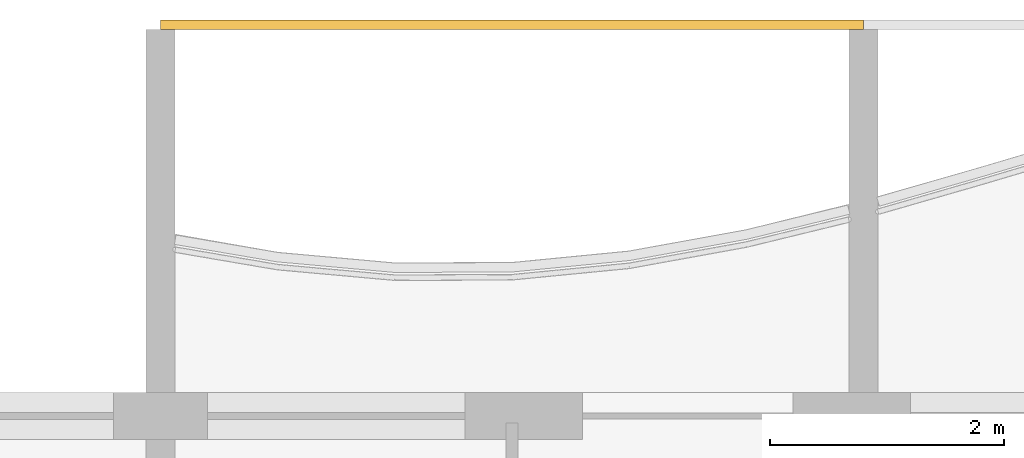
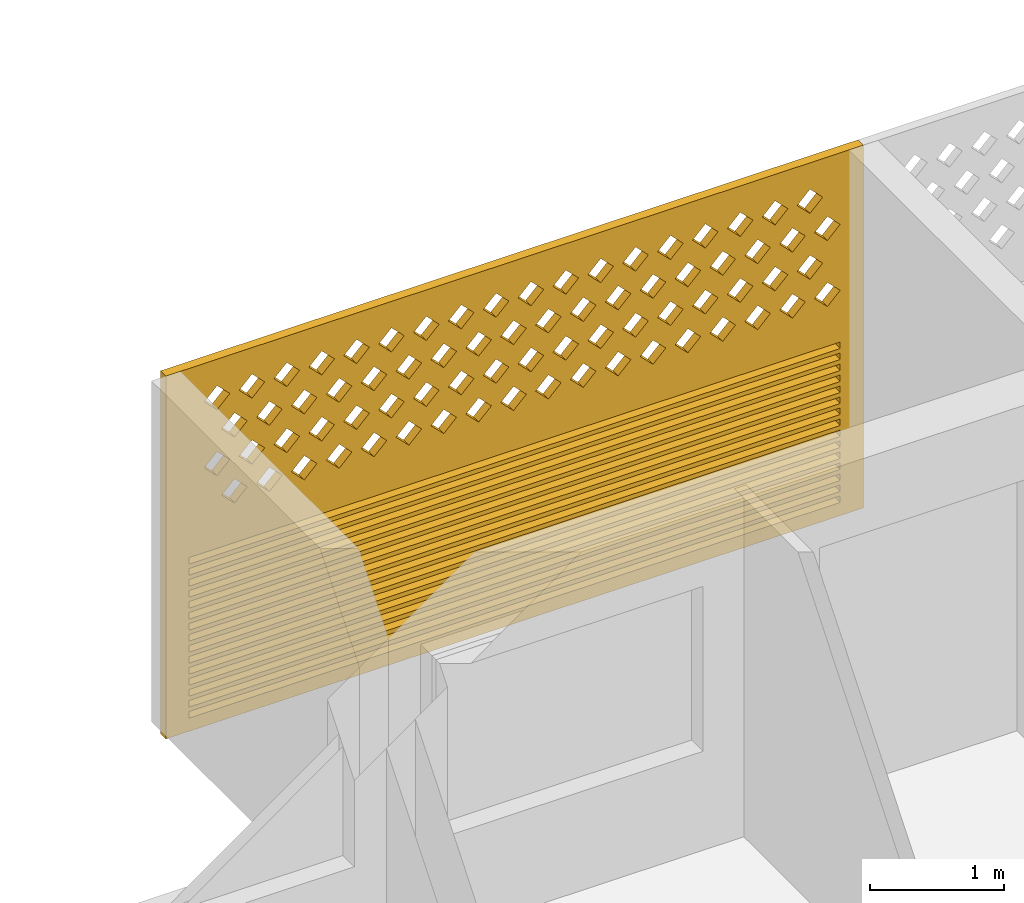
# One storey, part 19 of 29: 1 covering.
"""IFC4 building model written with IfcOpenShell, lengths in metres."""

import ifcopenshell
import ifcopenshell.guid

model = None  # the IFC model being written
_history = None  # IfcOwnerHistory: only IFC2X3 demands one
_inside = {}  # id of a spatial element -> (the spatial element, [elements in it])
_under = {}  # id of a project, library or spatial element -> (it, [spatial elements below it])
_declared = {}  # id of a project -> (the project, [libraries it declares])
_typed = {}  # id of a type object -> (the type object, [elements of that type])
_made_of = {}  # id of a material, layer set ... -> (it, [elements and type objects made of it])


def new_model(schema):
    """Start an empty IFC model of exactly this schema.

    Asked for "IFC4X3", IfcOpenShell would pick the latest addendum, in which some entities
    have other attributes; the version numbers below select the first issue.
    IFC2X3 requires an IfcOwnerHistory on every rooted entity: one is made here for all.
    """
    global model, _history
    if schema == "IFC4X3":
        model = ifcopenshell.file(schema_version=(4, 3, 0, 0))
    else:
        model = ifcopenshell.file(schema=schema)
    _inside.clear()
    _under.clear()
    _declared.clear()
    _typed.clear()
    _made_of.clear()
    _history = None
    if model.schema == "IFC2X3":
        org = make("IfcOrganization", Name="unknown")
        user = make(
            "IfcPersonAndOrganization",
            ThePerson=make("IfcPerson", FamilyName="unknown"),
            TheOrganization=org,
        )
        app = make(
            "IfcApplication",
            ApplicationDeveloper=org,
            Version="unknown",
            ApplicationFullName="unknown",
            ApplicationIdentifier="unknown",
        )
        _history = make(
            "IfcOwnerHistory",
            OwningUser=user,
            OwningApplication=app,
            ChangeAction="ADDED",
            CreationDate=0,
        )
    return model


def make(cls, **values):
    """One entity of the class cls with the attributes given. An attribute that is None is left unset."""
    return model.create_entity(
        cls, **{name: value for name, value in values.items() if value is not None}
    )


def rooted(cls, **values):
    """An entity with a GlobalId (a new one), such as an element, a storey or a relation."""
    return make(cls, GlobalId=ifcopenshell.guid.new(), OwnerHistory=_history, **values)


def si_unit(unit_type, name, prefix=None):
    """IfcSIUnit, for example si_unit("LENGTHUNIT", "METRE", prefix="MILLI")."""
    return make("IfcSIUnit", UnitType=unit_type, Prefix=prefix, Name=name)


def assignment(units):
    """IfcUnitAssignment: the units of a project."""
    return None if units is None else make("IfcUnitAssignment", Units=units)


def point(xyz):
    """IfcCartesianPoint."""
    return None if xyz is None else make("IfcCartesianPoint", Coordinates=xyz)


def direction(xyz):
    """IfcDirection."""
    return None if xyz is None else make("IfcDirection", DirectionRatios=xyz)


def frame(location, z_axis=None, x_axis=None):
    """IfcAxis2Placement3D, a coordinate frame: its origin and axes. An axis left out is left unset."""
    return make(
        "IfcAxis2Placement3D",
        Location=point(location),
        Axis=direction(z_axis),
        RefDirection=direction(x_axis),
    )


def origin():
    """The frame at (0, 0, 0) with its axes left unset."""
    return frame((0.0, 0.0, 0.0))


def place(relative_to, where):
    """IfcLocalPlacement: puts the frame where relative to a parent placement (None: the world)."""
    return make(
        "IfcLocalPlacement", PlacementRelTo=relative_to, RelativePlacement=where
    )


def context(
    kind, dimensions, precision=None, world=None, true_north=None, identifier=None
):
    """IfcGeometricRepresentationContext, for example the 3D "Model" context."""
    return make(
        "IfcGeometricRepresentationContext",
        ContextIdentifier=identifier,
        ContextType=kind,
        CoordinateSpaceDimension=dimensions,
        Precision=precision,
        WorldCoordinateSystem=world,
        TrueNorth=true_north,
    )


def subcontext(parent, identifier, kind, view, scale=None):
    """IfcGeometricRepresentationSubContext, for example "Body" below "Model"."""
    return make(
        "IfcGeometricRepresentationSubContext",
        ContextIdentifier=identifier,
        ContextType=kind,
        ParentContext=parent,
        TargetScale=scale,
        TargetView=view,
    )


def project(units=None, contexts=None):
    """IfcProject with its units and contexts."""
    return rooted(
        "IfcProject",
        Name="project",
        RepresentationContexts=contexts,
        UnitsInContext=assignment(units),
    )


def spatial(cls, under=None, at=None, **own):
    """A site, building, storey or space (cls), placed at a placement, below another one or the project."""
    s = rooted(cls, ObjectPlacement=at, **own)
    if under is not None:
        _under.setdefault(under.id(), (under, []))[1].append(s)
    return s


def polyline(points):
    """IfcPolyline through the points."""
    return make("IfcPolyline", Points=[point(p) for p in points])


def outline(outer, holes=None, kind="AREA"):
    """IfcArbitraryClosedProfileDef: a profile drawn as a closed curve; with holes, ...WithVoids."""
    if holes is None:
        return make("IfcArbitraryClosedProfileDef", ProfileType=kind, OuterCurve=outer)
    return make(
        "IfcArbitraryProfileDefWithVoids",
        ProfileType=kind,
        OuterCurve=outer,
        InnerCurves=holes,
    )


def extrude(swept, where, along, depth):
    """IfcExtrudedAreaSolid: the profile swept, set in the frame where, extruded along a direction by depth."""
    return make(
        "IfcExtrudedAreaSolid",
        SweptArea=swept,
        Position=where,
        ExtrudedDirection=direction(along),
        Depth=depth,
    )


def shape(context_of_items, identifier, shape_type, items):
    """IfcShapeRepresentation: the items that make up one representation, for example the "Body"."""
    return make(
        "IfcShapeRepresentation",
        ContextOfItems=context_of_items,
        RepresentationIdentifier=identifier,
        RepresentationType=shape_type,
        Items=items,
    )


def source(mapping_origin, context_of_items, identifier, shape_type, items):
    """IfcRepresentationMap: a shape defined once, which mapped items show again and again."""
    return make(
        "IfcRepresentationMap",
        MappingOrigin=mapping_origin,
        MappedRepresentation=shape(context_of_items, identifier, shape_type, items),
    )


def transform(
    local_origin,
    x_axis=None,
    y_axis=None,
    z_axis=None,
    scale=None,
    scale2=None,
    scale3=None,
    uniform=True,
):
    """IfcCartesianTransformationOperator3D, or its non-uniform kind. x_axis, y_axis, z_axis: its Axis1, 2, 3."""
    if uniform:
        return make(
            "IfcCartesianTransformationOperator3D",
            Axis1=direction(x_axis),
            Axis2=direction(y_axis),
            LocalOrigin=point(local_origin),
            Scale=scale,
            Axis3=direction(z_axis),
        )
    return make(
        "IfcCartesianTransformationOperator3DnonUniform",
        Axis1=direction(x_axis),
        Axis2=direction(y_axis),
        LocalOrigin=point(local_origin),
        Scale=scale,
        Axis3=direction(z_axis),
        Scale2=scale2,
        Scale3=scale3,
    )


def mapped(mapping_source, mapping_target):
    """IfcMappedItem: shows the shape of a source again, moved by a transform."""
    return make(
        "IfcMappedItem", MappingSource=mapping_source, MappingTarget=mapping_target
    )


def material(Name=None, Category=None):
    """IfcMaterial."""
    return make("IfcMaterial", Name=Name, Category=Category)


def material_profile(
    of_material, cross_section, Name=None, Category=None, Priority=None
):
    """IfcMaterialProfile: a cross section and its material."""
    return make(
        "IfcMaterialProfile",
        Name=Name,
        Material=of_material,
        Profile=cross_section,
        Priority=Priority,
        Category=Category,
    )


def profile_set(profiles, Name=None, composite=None):
    """IfcMaterialProfileSet."""
    return make(
        "IfcMaterialProfileSet",
        Name=Name,
        MaterialProfiles=profiles,
        CompositeProfile=composite,
    )


def made_of(thing, what):
    """Note that an element or type object is made of a material, layer set ...; save() writes the relation."""
    if what is not None:
        _made_of.setdefault(what.id(), (what, []))[1].append(thing)
    return thing


def type_object(cls, material=None, **own):
    """A type object (cls), such as IfcWallType, which elements share."""
    return made_of(rooted(cls, **own), material)


def element(
    cls,
    number,
    at=None,
    inside=None,
    cuts=None,
    type_object=None,
    material=None,
    context=None,
    identifier="Body",
    shape_type=None,
    held_by="IfcProductDefinitionShape",
    body=None,
    shapes=None,
    **own,
):
    """One element of the class cls, such as IfcWall. Its Tag is "e" and its number.

    at: its placement. inside: the storey or other place that contains it. cuts: it is an
    opening in that element (IfcRelVoidsElement). A single representation is given by context,
    identifier, shape_type and body (its items); several are given by shapes. held_by: the class
    of the entity that holds the representations. save() writes the other relations.
    """
    e = rooted(cls, Tag="e%d" % number, ObjectPlacement=at, **own)
    if body is not None:
        shapes = [shape(context, identifier, shape_type, body)]
    if shapes is not None:
        e.Representation = make(held_by, Representations=shapes)
    if inside is not None:
        _inside.setdefault(inside.id(), (inside, []))[1].append(e)
    if cuts is not None:
        rooted(
            "IfcRelVoidsElement", RelatingBuildingElement=cuts, RelatedOpeningElement=e
        )
    if type_object is not None:
        _typed.setdefault(type_object.id(), (type_object, []))[1].append(e)
    return made_of(e, material)


def aggregate(whole, parts):
    """IfcRelAggregates: a whole, such as a stair, and the parts it consists of."""
    return rooted("IfcRelAggregates", RelatingObject=whole, RelatedObjects=parts)


def save(model, path):
    """Write the relations noted so far, then the file.

    IfcRelAggregates (storeys below a building ...), IfcRelContainedInSpatialStructure (elements
    in a storey), IfcRelDefinesByType, IfcRelAssociatesMaterial and IfcRelDeclares: one each for
    every whole, place, type object, material and project.
    """
    for whole, parts in _under.values():
        aggregate(whole, parts)
    for where, things in _inside.values():
        rooted(
            "IfcRelContainedInSpatialStructure",
            RelatedElements=things,
            RelatingStructure=where,
        )
    for kind, things in _typed.values():
        rooted("IfcRelDefinesByType", RelatedObjects=things, RelatingType=kind)
    for what, things in _made_of.values():
        rooted("IfcRelAssociatesMaterial", RelatedObjects=things, RelatingMaterial=what)
    for by, libraries in _declared.values():
        rooted("IfcRelDeclares", RelatingContext=by, RelatedDefinitions=libraries)
    model.write(path)


model = new_model("IFC4")

# Units and contexts
model_context = context("Model", 3, precision=1e-05, world=origin(), true_north=direction((0.0, 1.0)))
body_context = subcontext(model_context, "Body", "Model", "MODEL_VIEW")
ifc_project = project(units=[si_unit("LENGTHUNIT", "METRE"), si_unit("AREAUNIT", "SQUARE_METRE"), si_unit("VOLUMEUNIT", "CUBIC_METRE"), si_unit("PLANEANGLEUNIT", "RADIAN"), si_unit("MASSUNIT", "GRAM", prefix="KILO")], contexts=[model_context])

# Site, building, storey
site_placement = place(None, origin())
site = spatial("IfcSite", under=ifc_project, at=site_placement, CompositionType="ELEMENT")
building_placement = place(site_placement, origin())
building = spatial("IfcBuilding", under=site, at=building_placement, Name="Poui Terraces", CompositionType="ELEMENT")
storey_placement = place(building_placement, frame((0.0, 0.0, 234.60009765625)))
storey = spatial("IfcBuildingStorey", under=building, at=storey_placement, Name="L65", CompositionType="ELEMENT", Elevation=234.60009765625)

# Covering
ifc_material = material(Name="Terracotta screen", Category="masonry")
ifc_material_profile = material_profile(ifc_material, outline(polyline([(-3.0, -1.64990234375), (3.0, -1.64990234375), (3.0, 1.64990234375), (-3.0, 1.64990234375), (-3.0, -1.64990234375)]), holes=[polyline([(-2.800048828125, 0.39990234375), (-2.68994140625, 0.2900390625), (-2.580078125, 0.39990234375), (-2.68994140625, 0.510009765625), (-2.800048828125, 0.39990234375)]), polyline([(-2.5, 0.39990234375), (-2.389892578125, 0.2900390625), (-2.280029296875, 0.39990234375), (-2.389892578125, 0.510009765625), (-2.5, 0.39990234375)]), polyline([(-2.199951171875, 0.39990234375), (-2.090087890625, 0.2900390625), (-1.97998046875, 0.39990234375), (-2.090087890625, 0.510009765625), (-2.199951171875, 0.39990234375)]), polyline([(-1.89990234375, 0.39990234375), (-1.7900390625, 0.2900390625), (-1.679931640625, 0.39990234375), (-1.7900390625, 0.510009765625), (-1.89990234375, 0.39990234375)]), polyline([(-1.60009765625, 0.39990234375), (-1.489990234375, 0.2900390625), (-1.3798828125, 0.39990234375), (-1.489990234375, 0.510009765625), (-1.60009765625, 0.39990234375)]), polyline([(-1.300048828125, 0.39990234375), (-1.18994140625, 0.2900390625), (-1.080078125, 0.39990234375), (-1.18994140625, 0.510009765625), (-1.300048828125, 0.39990234375)]), polyline([(-1.0, 0.39990234375), (-0.889892578125, 0.2900390625), (-0.780029296875, 0.39990234375), (-0.889892578125, 0.510009765625), (-1.0, 0.39990234375)]), polyline([(-0.699951171875, 0.39990234375), (-0.590087890625, 0.2900390625), (-0.47998046875, 0.39990234375), (-0.590087890625, 0.510009765625), (-0.699951171875, 0.39990234375)]), polyline([(-0.39990234375, 0.39990234375), (-0.2900390625, 0.2900390625), (-0.179931640625, 0.39990234375), (-0.2900390625, 0.510009765625), (-0.39990234375, 0.39990234375)]), polyline([(-0.10009765625, 0.39990234375), (0.010009765625, 0.2900390625), (0.1201171875, 0.39990234375), (0.010009765625, 0.510009765625), (-0.10009765625, 0.39990234375)]), polyline([(0.199951171875, 0.39990234375), (0.31005859375, 0.2900390625), (0.419921875, 0.39990234375), (0.31005859375, 0.510009765625), (0.199951171875, 0.39990234375)]), polyline([(0.5, 0.39990234375), (0.610107421875, 0.2900390625), (0.719970703125, 0.39990234375), (0.610107421875, 0.510009765625), (0.5, 0.39990234375)]), polyline([(0.800048828125, 0.39990234375), (0.909912109375, 0.2900390625), (1.02001953125, 0.39990234375), (0.909912109375, 0.510009765625), (0.800048828125, 0.39990234375)]), polyline([(1.10009765625, 0.39990234375), (1.2099609375, 0.2900390625), (1.320068359375, 0.39990234375), (1.2099609375, 0.510009765625), (1.10009765625, 0.39990234375)]), polyline([(1.39990234375, 0.39990234375), (1.510009765625, 0.2900390625), (1.6201171875, 0.39990234375), (1.510009765625, 0.510009765625), (1.39990234375, 0.39990234375)]), polyline([(1.699951171875, 0.39990234375), (1.81005859375, 0.2900390625), (1.919921875, 0.39990234375), (1.81005859375, 0.510009765625), (1.699951171875, 0.39990234375)]), polyline([(2.0, 0.39990234375), (2.110107421875, 0.2900390625), (2.219970703125, 0.39990234375), (2.110107421875, 0.510009765625), (2.0, 0.39990234375)]), polyline([(2.300048828125, 0.39990234375), (2.409912109375, 0.2900390625), (2.52001953125, 0.39990234375), (2.409912109375, 0.510009765625), (2.300048828125, 0.39990234375)]), polyline([(-2.64990234375, 0.699951171875), (-2.5400390625, 0.590087890625), (-2.429931640625, 0.699951171875), (-2.5400390625, 0.81005859375), (-2.64990234375, 0.699951171875)]), polyline([(-2.35009765625, 0.699951171875), (-2.239990234375, 0.590087890625), (-2.1298828125, 0.699951171875), (-2.239990234375, 0.81005859375), (-2.35009765625, 0.699951171875)]), polyline([(-2.050048828125, 0.699951171875), (-1.93994140625, 0.590087890625), (-1.830078125, 0.699951171875), (-1.93994140625, 0.81005859375), (-2.050048828125, 0.699951171875)]), polyline([(-1.75, 0.699951171875), (-1.639892578125, 0.590087890625), (-1.530029296875, 0.699951171875), (-1.639892578125, 0.81005859375), (-1.75, 0.699951171875)]), polyline([(-1.449951171875, 0.699951171875), (-1.340087890625, 0.590087890625), (-1.22998046875, 0.699951171875), (-1.340087890625, 0.81005859375), (-1.449951171875, 0.699951171875)]), polyline([(-1.14990234375, 0.699951171875), (-1.0400390625, 0.590087890625), (-0.929931640625, 0.699951171875), (-1.0400390625, 0.81005859375), (-1.14990234375, 0.699951171875)]), polyline([(-0.85009765625, 0.699951171875), (-0.739990234375, 0.590087890625), (-0.6298828125, 0.699951171875), (-0.739990234375, 0.81005859375), (-0.85009765625, 0.699951171875)]), polyline([(-0.550048828125, 0.699951171875), (-0.43994140625, 0.590087890625), (-0.330078125, 0.699951171875), (-0.43994140625, 0.81005859375), (-0.550048828125, 0.699951171875)]), polyline([(-0.25, 0.699951171875), (-0.139892578125, 0.590087890625), (-0.030029296875, 0.699951171875), (-0.139892578125, 0.81005859375), (-0.25, 0.699951171875)]), polyline([(0.050048828125, 0.699951171875), (0.159912109375, 0.590087890625), (0.27001953125, 0.699951171875), (0.159912109375, 0.81005859375), (0.050048828125, 0.699951171875)]), polyline([(0.35009765625, 0.699951171875), (0.4599609375, 0.590087890625), (0.570068359375, 0.699951171875), (0.4599609375, 0.81005859375), (0.35009765625, 0.699951171875)]), polyline([(0.64990234375, 0.699951171875), (0.760009765625, 0.590087890625), (0.8701171875, 0.699951171875), (0.760009765625, 0.81005859375), (0.64990234375, 0.699951171875)]), polyline([(0.949951171875, 0.699951171875), (1.06005859375, 0.590087890625), (1.169921875, 0.699951171875), (1.06005859375, 0.81005859375), (0.949951171875, 0.699951171875)]), polyline([(1.25, 0.699951171875), (1.360107421875, 0.590087890625), (1.469970703125, 0.699951171875), (1.360107421875, 0.81005859375), (1.25, 0.699951171875)]), polyline([(1.550048828125, 0.699951171875), (1.659912109375, 0.590087890625), (1.77001953125, 0.699951171875), (1.659912109375, 0.81005859375), (1.550048828125, 0.699951171875)]), polyline([(1.85009765625, 0.699951171875), (1.9599609375, 0.590087890625), (2.070068359375, 0.699951171875), (1.9599609375, 0.81005859375), (1.85009765625, 0.699951171875)]), polyline([(2.14990234375, 0.699951171875), (2.260009765625, 0.590087890625), (2.3701171875, 0.699951171875), (2.260009765625, 0.81005859375), (2.14990234375, 0.699951171875)]), polyline([(2.449951171875, 0.699951171875), (2.56005859375, 0.590087890625), (2.669921875, 0.699951171875), (2.56005859375, 0.81005859375), (2.449951171875, 0.699951171875)]), polyline([(-2.800048828125, 1.0), (-2.68994140625, 0.889892578125), (-2.580078125, 1.0), (-2.68994140625, 1.110107421875), (-2.800048828125, 1.0)]), polyline([(-2.5, 1.0), (-2.389892578125, 0.889892578125), (-2.280029296875, 1.0), (-2.389892578125, 1.110107421875), (-2.5, 1.0)]), polyline([(-2.199951171875, 1.0), (-2.090087890625, 0.889892578125), (-1.97998046875, 1.0), (-2.090087890625, 1.110107421875), (-2.199951171875, 1.0)]), polyline([(-1.89990234375, 1.0), (-1.7900390625, 0.889892578125), (-1.679931640625, 1.0), (-1.7900390625, 1.110107421875), (-1.89990234375, 1.0)]), polyline([(-1.60009765625, 1.0), (-1.489990234375, 0.889892578125), (-1.3798828125, 1.0), (-1.489990234375, 1.110107421875), (-1.60009765625, 1.0)]), polyline([(-1.300048828125, 1.0), (-1.18994140625, 0.889892578125), (-1.080078125, 1.0), (-1.18994140625, 1.110107421875), (-1.300048828125, 1.0)]), polyline([(-1.0, 1.0), (-0.889892578125, 0.889892578125), (-0.780029296875, 1.0), (-0.889892578125, 1.110107421875), (-1.0, 1.0)]), polyline([(-0.699951171875, 1.0), (-0.590087890625, 0.889892578125), (-0.47998046875, 1.0), (-0.590087890625, 1.110107421875), (-0.699951171875, 1.0)]), polyline([(-0.39990234375, 1.0), (-0.2900390625, 0.889892578125), (-0.179931640625, 1.0), (-0.2900390625, 1.110107421875), (-0.39990234375, 1.0)]), polyline([(-0.10009765625, 1.0), (0.010009765625, 0.889892578125), (0.1201171875, 1.0), (0.010009765625, 1.110107421875), (-0.10009765625, 1.0)]), polyline([(0.199951171875, 1.0), (0.31005859375, 0.889892578125), (0.419921875, 1.0), (0.31005859375, 1.110107421875), (0.199951171875, 1.0)]), polyline([(0.5, 1.0), (0.610107421875, 0.889892578125), (0.719970703125, 1.0), (0.610107421875, 1.110107421875), (0.5, 1.0)]), polyline([(0.800048828125, 1.0), (0.909912109375, 0.889892578125), (1.02001953125, 1.0), (0.909912109375, 1.110107421875), (0.800048828125, 1.0)]), polyline([(1.10009765625, 1.0), (1.2099609375, 0.889892578125), (1.320068359375, 1.0), (1.2099609375, 1.110107421875), (1.10009765625, 1.0)]), polyline([(1.39990234375, 1.0), (1.510009765625, 0.889892578125), (1.6201171875, 1.0), (1.510009765625, 1.110107421875), (1.39990234375, 1.0)]), polyline([(1.699951171875, 1.0), (1.81005859375, 0.889892578125), (1.919921875, 1.0), (1.81005859375, 1.110107421875), (1.699951171875, 1.0)]), polyline([(2.0, 1.0), (2.110107421875, 0.889892578125), (2.219970703125, 1.0), (2.110107421875, 1.110107421875), (2.0, 1.0)]), polyline([(2.300048828125, 1.0), (2.409912109375, 0.889892578125), (2.52001953125, 1.0), (2.409912109375, 1.110107421875), (2.300048828125, 1.0)]), polyline([(-2.64990234375, 1.300048828125), (-2.5400390625, 1.18994140625), (-2.429931640625, 1.300048828125), (-2.5400390625, 1.409912109375), (-2.64990234375, 1.300048828125)]), polyline([(-2.35009765625, 1.300048828125), (-2.239990234375, 1.18994140625), (-2.1298828125, 1.300048828125), (-2.239990234375, 1.409912109375), (-2.35009765625, 1.300048828125)]), polyline([(-2.050048828125, 1.300048828125), (-1.93994140625, 1.18994140625), (-1.830078125, 1.300048828125), (-1.93994140625, 1.409912109375), (-2.050048828125, 1.300048828125)]), polyline([(-1.75, 1.300048828125), (-1.639892578125, 1.18994140625), (-1.530029296875, 1.300048828125), (-1.639892578125, 1.409912109375), (-1.75, 1.300048828125)]), polyline([(-1.449951171875, 1.300048828125), (-1.340087890625, 1.18994140625), (-1.22998046875, 1.300048828125), (-1.340087890625, 1.409912109375), (-1.449951171875, 1.300048828125)]), polyline([(-1.14990234375, 1.300048828125), (-1.0400390625, 1.18994140625), (-0.929931640625, 1.300048828125), (-1.0400390625, 1.409912109375), (-1.14990234375, 1.300048828125)]), polyline([(-0.85009765625, 1.300048828125), (-0.739990234375, 1.18994140625), (-0.6298828125, 1.300048828125), (-0.739990234375, 1.409912109375), (-0.85009765625, 1.300048828125)]), polyline([(-0.550048828125, 1.300048828125), (-0.43994140625, 1.18994140625), (-0.330078125, 1.300048828125), (-0.43994140625, 1.409912109375), (-0.550048828125, 1.300048828125)]), polyline([(-0.25, 1.300048828125), (-0.139892578125, 1.18994140625), (-0.030029296875, 1.300048828125), (-0.139892578125, 1.409912109375), (-0.25, 1.300048828125)]), polyline([(0.050048828125, 1.300048828125), (0.159912109375, 1.18994140625), (0.27001953125, 1.300048828125), (0.159912109375, 1.409912109375), (0.050048828125, 1.300048828125)]), polyline([(0.35009765625, 1.300048828125), (0.4599609375, 1.18994140625), (0.570068359375, 1.300048828125), (0.4599609375, 1.409912109375), (0.35009765625, 1.300048828125)]), polyline([(0.64990234375, 1.300048828125), (0.760009765625, 1.18994140625), (0.8701171875, 1.300048828125), (0.760009765625, 1.409912109375), (0.64990234375, 1.300048828125)]), polyline([(0.949951171875, 1.300048828125), (1.06005859375, 1.18994140625), (1.169921875, 1.300048828125), (1.06005859375, 1.409912109375), (0.949951171875, 1.300048828125)]), polyline([(1.25, 1.300048828125), (1.360107421875, 1.18994140625), (1.469970703125, 1.300048828125), (1.360107421875, 1.409912109375), (1.25, 1.300048828125)]), polyline([(1.550048828125, 1.300048828125), (1.659912109375, 1.18994140625), (1.77001953125, 1.300048828125), (1.659912109375, 1.409912109375), (1.550048828125, 1.300048828125)]), polyline([(1.85009765625, 1.300048828125), (1.9599609375, 1.18994140625), (2.070068359375, 1.300048828125), (1.9599609375, 1.409912109375), (1.85009765625, 1.300048828125)]), polyline([(2.14990234375, 1.300048828125), (2.260009765625, 1.18994140625), (2.3701171875, 1.300048828125), (2.260009765625, 1.409912109375), (2.14990234375, 1.300048828125)]), polyline([(2.449951171875, 1.300048828125), (2.56005859375, 1.18994140625), (2.669921875, 1.300048828125), (2.56005859375, 1.409912109375), (2.449951171875, 1.300048828125)]), polyline([(-2.800048828125, -1.530029296875), (2.800048828125, -1.530029296875), (2.800048828125, -1.469970703125), (-2.800048828125, -1.469970703125), (-2.800048828125, -1.530029296875)]), polyline([(-2.800048828125, -1.429931640625), (2.800048828125, -1.429931640625), (2.800048828125, -1.3701171875), (-2.800048828125, -1.3701171875), (-2.800048828125, -1.429931640625)]), polyline([(-2.800048828125, -1.330078125), (2.800048828125, -1.330078125), (2.800048828125, -1.27001953125), (-2.800048828125, -1.27001953125), (-2.800048828125, -1.330078125)]), polyline([(-2.800048828125, -1.22998046875), (2.800048828125, -1.22998046875), (2.800048828125, -1.169921875), (-2.800048828125, -1.169921875), (-2.800048828125, -1.22998046875)]), polyline([(-2.800048828125, -1.1298828125), (2.800048828125, -1.1298828125), (2.800048828125, -1.070068359375), (-2.800048828125, -1.070068359375), (-2.800048828125, -1.1298828125)]), polyline([(-2.800048828125, -1.030029296875), (2.800048828125, -1.030029296875), (2.800048828125, -0.969970703125), (-2.800048828125, -0.969970703125), (-2.800048828125, -1.030029296875)]), polyline([(-2.800048828125, -0.929931640625), (2.800048828125, -0.929931640625), (2.800048828125, -0.8701171875), (-2.800048828125, -0.8701171875), (-2.800048828125, -0.929931640625)]), polyline([(-2.800048828125, -0.830078125), (2.800048828125, -0.830078125), (2.800048828125, -0.77001953125), (-2.800048828125, -0.77001953125), (-2.800048828125, -0.830078125)]), polyline([(-2.800048828125, -0.72998046875), (2.800048828125, -0.72998046875), (2.800048828125, -0.669921875), (-2.800048828125, -0.669921875), (-2.800048828125, -0.72998046875)]), polyline([(-2.800048828125, -0.6298828125), (2.800048828125, -0.6298828125), (2.800048828125, -0.570068359375), (-2.800048828125, -0.570068359375), (-2.800048828125, -0.6298828125)]), polyline([(-2.800048828125, -0.530029296875), (2.800048828125, -0.530029296875), (2.800048828125, -0.469970703125), (-2.800048828125, -0.469970703125), (-2.800048828125, -0.530029296875)]), polyline([(-2.800048828125, -0.429931640625), (2.800048828125, -0.429931640625), (2.800048828125, -0.3701171875), (-2.800048828125, -0.3701171875), (-2.800048828125, -0.429931640625)]), polyline([(-2.800048828125, -0.330078125), (2.800048828125, -0.330078125), (2.800048828125, -0.27001953125), (-2.800048828125, -0.27001953125), (-2.800048828125, -0.330078125)]), polyline([(-2.800048828125, -0.22998046875), (2.800048828125, -0.22998046875), (2.800048828125, -0.169921875), (-2.800048828125, -0.169921875), (-2.800048828125, -0.22998046875)]), polyline([(-2.800048828125, -0.1298828125), (2.800048828125, -0.1298828125), (2.800048828125, -0.070068359375), (-2.800048828125, -0.070068359375), (-2.800048828125, -0.1298828125)])]), Name="TERRACOTTA SCREEN AND JALOUSIE LOUVRE 6000X3300")
ifc_profile_set = profile_set([ifc_material_profile], Name="Terracotta screen")
covering_type = type_object("IfcCoveringType", Name="TERRACOTTA SCREEN AND JALOUSIE LOUVRE 6000X3300", PredefinedType="CLADDING", material=ifc_profile_set)
shared_shape = source(origin(), body_context, "Body", "SweptSolid", [
    extrude(outline(polyline([(-3.0, -1.64990234375), (3.0, -1.64990234375), (3.0, 1.64990234375), (-3.0, 1.64990234375), (-3.0, -1.64990234375)]), holes=[polyline([(-2.800048828125, 0.39990234375), (-2.68994140625, 0.2900390625), (-2.580078125, 0.39990234375), (-2.68994140625, 0.510009765625), (-2.800048828125, 0.39990234375)]), polyline([(-2.5, 0.39990234375), (-2.389892578125, 0.2900390625), (-2.280029296875, 0.39990234375), (-2.389892578125, 0.510009765625), (-2.5, 0.39990234375)]), polyline([(-2.199951171875, 0.39990234375), (-2.090087890625, 0.2900390625), (-1.97998046875, 0.39990234375), (-2.090087890625, 0.510009765625), (-2.199951171875, 0.39990234375)]), polyline([(-1.89990234375, 0.39990234375), (-1.7900390625, 0.2900390625), (-1.679931640625, 0.39990234375), (-1.7900390625, 0.510009765625), (-1.89990234375, 0.39990234375)]), polyline([(-1.60009765625, 0.39990234375), (-1.489990234375, 0.2900390625), (-1.3798828125, 0.39990234375), (-1.489990234375, 0.510009765625), (-1.60009765625, 0.39990234375)]), polyline([(-1.300048828125, 0.39990234375), (-1.18994140625, 0.2900390625), (-1.080078125, 0.39990234375), (-1.18994140625, 0.510009765625), (-1.300048828125, 0.39990234375)]), polyline([(-1.0, 0.39990234375), (-0.889892578125, 0.2900390625), (-0.780029296875, 0.39990234375), (-0.889892578125, 0.510009765625), (-1.0, 0.39990234375)]), polyline([(-0.699951171875, 0.39990234375), (-0.590087890625, 0.2900390625), (-0.47998046875, 0.39990234375), (-0.590087890625, 0.510009765625), (-0.699951171875, 0.39990234375)]), polyline([(-0.39990234375, 0.39990234375), (-0.2900390625, 0.2900390625), (-0.179931640625, 0.39990234375), (-0.2900390625, 0.510009765625), (-0.39990234375, 0.39990234375)]), polyline([(-0.10009765625, 0.39990234375), (0.010009765625, 0.2900390625), (0.1201171875, 0.39990234375), (0.010009765625, 0.510009765625), (-0.10009765625, 0.39990234375)]), polyline([(0.199951171875, 0.39990234375), (0.31005859375, 0.2900390625), (0.419921875, 0.39990234375), (0.31005859375, 0.510009765625), (0.199951171875, 0.39990234375)]), polyline([(0.5, 0.39990234375), (0.610107421875, 0.2900390625), (0.719970703125, 0.39990234375), (0.610107421875, 0.510009765625), (0.5, 0.39990234375)]), polyline([(0.800048828125, 0.39990234375), (0.909912109375, 0.2900390625), (1.02001953125, 0.39990234375), (0.909912109375, 0.510009765625), (0.800048828125, 0.39990234375)]), polyline([(1.10009765625, 0.39990234375), (1.2099609375, 0.2900390625), (1.320068359375, 0.39990234375), (1.2099609375, 0.510009765625), (1.10009765625, 0.39990234375)]), polyline([(1.39990234375, 0.39990234375), (1.510009765625, 0.2900390625), (1.6201171875, 0.39990234375), (1.510009765625, 0.510009765625), (1.39990234375, 0.39990234375)]), polyline([(1.699951171875, 0.39990234375), (1.81005859375, 0.2900390625), (1.919921875, 0.39990234375), (1.81005859375, 0.510009765625), (1.699951171875, 0.39990234375)]), polyline([(2.0, 0.39990234375), (2.110107421875, 0.2900390625), (2.219970703125, 0.39990234375), (2.110107421875, 0.510009765625), (2.0, 0.39990234375)]), polyline([(2.300048828125, 0.39990234375), (2.409912109375, 0.2900390625), (2.52001953125, 0.39990234375), (2.409912109375, 0.510009765625), (2.300048828125, 0.39990234375)]), polyline([(-2.64990234375, 0.699951171875), (-2.5400390625, 0.590087890625), (-2.429931640625, 0.699951171875), (-2.5400390625, 0.81005859375), (-2.64990234375, 0.699951171875)]), polyline([(-2.35009765625, 0.699951171875), (-2.239990234375, 0.590087890625), (-2.1298828125, 0.699951171875), (-2.239990234375, 0.81005859375), (-2.35009765625, 0.699951171875)]), polyline([(-2.050048828125, 0.699951171875), (-1.93994140625, 0.590087890625), (-1.830078125, 0.699951171875), (-1.93994140625, 0.81005859375), (-2.050048828125, 0.699951171875)]), polyline([(-1.75, 0.699951171875), (-1.639892578125, 0.590087890625), (-1.530029296875, 0.699951171875), (-1.639892578125, 0.81005859375), (-1.75, 0.699951171875)]), polyline([(-1.449951171875, 0.699951171875), (-1.340087890625, 0.590087890625), (-1.22998046875, 0.699951171875), (-1.340087890625, 0.81005859375), (-1.449951171875, 0.699951171875)]), polyline([(-1.14990234375, 0.699951171875), (-1.0400390625, 0.590087890625), (-0.929931640625, 0.699951171875), (-1.0400390625, 0.81005859375), (-1.14990234375, 0.699951171875)]), polyline([(-0.85009765625, 0.699951171875), (-0.739990234375, 0.590087890625), (-0.6298828125, 0.699951171875), (-0.739990234375, 0.81005859375), (-0.85009765625, 0.699951171875)]), polyline([(-0.550048828125, 0.699951171875), (-0.43994140625, 0.590087890625), (-0.330078125, 0.699951171875), (-0.43994140625, 0.81005859375), (-0.550048828125, 0.699951171875)]), polyline([(-0.25, 0.699951171875), (-0.139892578125, 0.590087890625), (-0.030029296875, 0.699951171875), (-0.139892578125, 0.81005859375), (-0.25, 0.699951171875)]), polyline([(0.050048828125, 0.699951171875), (0.159912109375, 0.590087890625), (0.27001953125, 0.699951171875), (0.159912109375, 0.81005859375), (0.050048828125, 0.699951171875)]), polyline([(0.35009765625, 0.699951171875), (0.4599609375, 0.590087890625), (0.570068359375, 0.699951171875), (0.4599609375, 0.81005859375), (0.35009765625, 0.699951171875)]), polyline([(0.64990234375, 0.699951171875), (0.760009765625, 0.590087890625), (0.8701171875, 0.699951171875), (0.760009765625, 0.81005859375), (0.64990234375, 0.699951171875)]), polyline([(0.949951171875, 0.699951171875), (1.06005859375, 0.590087890625), (1.169921875, 0.699951171875), (1.06005859375, 0.81005859375), (0.949951171875, 0.699951171875)]), polyline([(1.25, 0.699951171875), (1.360107421875, 0.590087890625), (1.469970703125, 0.699951171875), (1.360107421875, 0.81005859375), (1.25, 0.699951171875)]), polyline([(1.550048828125, 0.699951171875), (1.659912109375, 0.590087890625), (1.77001953125, 0.699951171875), (1.659912109375, 0.81005859375), (1.550048828125, 0.699951171875)]), polyline([(1.85009765625, 0.699951171875), (1.9599609375, 0.590087890625), (2.070068359375, 0.699951171875), (1.9599609375, 0.81005859375), (1.85009765625, 0.699951171875)]), polyline([(2.14990234375, 0.699951171875), (2.260009765625, 0.590087890625), (2.3701171875, 0.699951171875), (2.260009765625, 0.81005859375), (2.14990234375, 0.699951171875)]), polyline([(2.449951171875, 0.699951171875), (2.56005859375, 0.590087890625), (2.669921875, 0.699951171875), (2.56005859375, 0.81005859375), (2.449951171875, 0.699951171875)]), polyline([(-2.800048828125, 1.0), (-2.68994140625, 0.889892578125), (-2.580078125, 1.0), (-2.68994140625, 1.110107421875), (-2.800048828125, 1.0)]), polyline([(-2.5, 1.0), (-2.389892578125, 0.889892578125), (-2.280029296875, 1.0), (-2.389892578125, 1.110107421875), (-2.5, 1.0)]), polyline([(-2.199951171875, 1.0), (-2.090087890625, 0.889892578125), (-1.97998046875, 1.0), (-2.090087890625, 1.110107421875), (-2.199951171875, 1.0)]), polyline([(-1.89990234375, 1.0), (-1.7900390625, 0.889892578125), (-1.679931640625, 1.0), (-1.7900390625, 1.110107421875), (-1.89990234375, 1.0)]), polyline([(-1.60009765625, 1.0), (-1.489990234375, 0.889892578125), (-1.3798828125, 1.0), (-1.489990234375, 1.110107421875), (-1.60009765625, 1.0)]), polyline([(-1.300048828125, 1.0), (-1.18994140625, 0.889892578125), (-1.080078125, 1.0), (-1.18994140625, 1.110107421875), (-1.300048828125, 1.0)]), polyline([(-1.0, 1.0), (-0.889892578125, 0.889892578125), (-0.780029296875, 1.0), (-0.889892578125, 1.110107421875), (-1.0, 1.0)]), polyline([(-0.699951171875, 1.0), (-0.590087890625, 0.889892578125), (-0.47998046875, 1.0), (-0.590087890625, 1.110107421875), (-0.699951171875, 1.0)]), polyline([(-0.39990234375, 1.0), (-0.2900390625, 0.889892578125), (-0.179931640625, 1.0), (-0.2900390625, 1.110107421875), (-0.39990234375, 1.0)]), polyline([(-0.10009765625, 1.0), (0.010009765625, 0.889892578125), (0.1201171875, 1.0), (0.010009765625, 1.110107421875), (-0.10009765625, 1.0)]), polyline([(0.199951171875, 1.0), (0.31005859375, 0.889892578125), (0.419921875, 1.0), (0.31005859375, 1.110107421875), (0.199951171875, 1.0)]), polyline([(0.5, 1.0), (0.610107421875, 0.889892578125), (0.719970703125, 1.0), (0.610107421875, 1.110107421875), (0.5, 1.0)]), polyline([(0.800048828125, 1.0), (0.909912109375, 0.889892578125), (1.02001953125, 1.0), (0.909912109375, 1.110107421875), (0.800048828125, 1.0)]), polyline([(1.10009765625, 1.0), (1.2099609375, 0.889892578125), (1.320068359375, 1.0), (1.2099609375, 1.110107421875), (1.10009765625, 1.0)]), polyline([(1.39990234375, 1.0), (1.510009765625, 0.889892578125), (1.6201171875, 1.0), (1.510009765625, 1.110107421875), (1.39990234375, 1.0)]), polyline([(1.699951171875, 1.0), (1.81005859375, 0.889892578125), (1.919921875, 1.0), (1.81005859375, 1.110107421875), (1.699951171875, 1.0)]), polyline([(2.0, 1.0), (2.110107421875, 0.889892578125), (2.219970703125, 1.0), (2.110107421875, 1.110107421875), (2.0, 1.0)]), polyline([(2.300048828125, 1.0), (2.409912109375, 0.889892578125), (2.52001953125, 1.0), (2.409912109375, 1.110107421875), (2.300048828125, 1.0)]), polyline([(-2.64990234375, 1.300048828125), (-2.5400390625, 1.18994140625), (-2.429931640625, 1.300048828125), (-2.5400390625, 1.409912109375), (-2.64990234375, 1.300048828125)]), polyline([(-2.35009765625, 1.300048828125), (-2.239990234375, 1.18994140625), (-2.1298828125, 1.300048828125), (-2.239990234375, 1.409912109375), (-2.35009765625, 1.300048828125)]), polyline([(-2.050048828125, 1.300048828125), (-1.93994140625, 1.18994140625), (-1.830078125, 1.300048828125), (-1.93994140625, 1.409912109375), (-2.050048828125, 1.300048828125)]), polyline([(-1.75, 1.300048828125), (-1.639892578125, 1.18994140625), (-1.530029296875, 1.300048828125), (-1.639892578125, 1.409912109375), (-1.75, 1.300048828125)]), polyline([(-1.449951171875, 1.300048828125), (-1.340087890625, 1.18994140625), (-1.22998046875, 1.300048828125), (-1.340087890625, 1.409912109375), (-1.449951171875, 1.300048828125)]), polyline([(-1.14990234375, 1.300048828125), (-1.0400390625, 1.18994140625), (-0.929931640625, 1.300048828125), (-1.0400390625, 1.409912109375), (-1.14990234375, 1.300048828125)]), polyline([(-0.85009765625, 1.300048828125), (-0.739990234375, 1.18994140625), (-0.6298828125, 1.300048828125), (-0.739990234375, 1.409912109375), (-0.85009765625, 1.300048828125)]), polyline([(-0.550048828125, 1.300048828125), (-0.43994140625, 1.18994140625), (-0.330078125, 1.300048828125), (-0.43994140625, 1.409912109375), (-0.550048828125, 1.300048828125)]), polyline([(-0.25, 1.300048828125), (-0.139892578125, 1.18994140625), (-0.030029296875, 1.300048828125), (-0.139892578125, 1.409912109375), (-0.25, 1.300048828125)]), polyline([(0.050048828125, 1.300048828125), (0.159912109375, 1.18994140625), (0.27001953125, 1.300048828125), (0.159912109375, 1.409912109375), (0.050048828125, 1.300048828125)]), polyline([(0.35009765625, 1.300048828125), (0.4599609375, 1.18994140625), (0.570068359375, 1.300048828125), (0.4599609375, 1.409912109375), (0.35009765625, 1.300048828125)]), polyline([(0.64990234375, 1.300048828125), (0.760009765625, 1.18994140625), (0.8701171875, 1.300048828125), (0.760009765625, 1.409912109375), (0.64990234375, 1.300048828125)]), polyline([(0.949951171875, 1.300048828125), (1.06005859375, 1.18994140625), (1.169921875, 1.300048828125), (1.06005859375, 1.409912109375), (0.949951171875, 1.300048828125)]), polyline([(1.25, 1.300048828125), (1.360107421875, 1.18994140625), (1.469970703125, 1.300048828125), (1.360107421875, 1.409912109375), (1.25, 1.300048828125)]), polyline([(1.550048828125, 1.300048828125), (1.659912109375, 1.18994140625), (1.77001953125, 1.300048828125), (1.659912109375, 1.409912109375), (1.550048828125, 1.300048828125)]), polyline([(1.85009765625, 1.300048828125), (1.9599609375, 1.18994140625), (2.070068359375, 1.300048828125), (1.9599609375, 1.409912109375), (1.85009765625, 1.300048828125)]), polyline([(2.14990234375, 1.300048828125), (2.260009765625, 1.18994140625), (2.3701171875, 1.300048828125), (2.260009765625, 1.409912109375), (2.14990234375, 1.300048828125)]), polyline([(2.449951171875, 1.300048828125), (2.56005859375, 1.18994140625), (2.669921875, 1.300048828125), (2.56005859375, 1.409912109375), (2.449951171875, 1.300048828125)]), polyline([(-2.800048828125, -1.530029296875), (2.800048828125, -1.530029296875), (2.800048828125, -1.469970703125), (-2.800048828125, -1.469970703125), (-2.800048828125, -1.530029296875)]), polyline([(-2.800048828125, -1.429931640625), (2.800048828125, -1.429931640625), (2.800048828125, -1.3701171875), (-2.800048828125, -1.3701171875), (-2.800048828125, -1.429931640625)]), polyline([(-2.800048828125, -1.330078125), (2.800048828125, -1.330078125), (2.800048828125, -1.27001953125), (-2.800048828125, -1.27001953125), (-2.800048828125, -1.330078125)]), polyline([(-2.800048828125, -1.22998046875), (2.800048828125, -1.22998046875), (2.800048828125, -1.169921875), (-2.800048828125, -1.169921875), (-2.800048828125, -1.22998046875)]), polyline([(-2.800048828125, -1.1298828125), (2.800048828125, -1.1298828125), (2.800048828125, -1.070068359375), (-2.800048828125, -1.070068359375), (-2.800048828125, -1.1298828125)]), polyline([(-2.800048828125, -1.030029296875), (2.800048828125, -1.030029296875), (2.800048828125, -0.969970703125), (-2.800048828125, -0.969970703125), (-2.800048828125, -1.030029296875)]), polyline([(-2.800048828125, -0.929931640625), (2.800048828125, -0.929931640625), (2.800048828125, -0.8701171875), (-2.800048828125, -0.8701171875), (-2.800048828125, -0.929931640625)]), polyline([(-2.800048828125, -0.830078125), (2.800048828125, -0.830078125), (2.800048828125, -0.77001953125), (-2.800048828125, -0.77001953125), (-2.800048828125, -0.830078125)]), polyline([(-2.800048828125, -0.72998046875), (2.800048828125, -0.72998046875), (2.800048828125, -0.669921875), (-2.800048828125, -0.669921875), (-2.800048828125, -0.72998046875)]), polyline([(-2.800048828125, -0.6298828125), (2.800048828125, -0.6298828125), (2.800048828125, -0.570068359375), (-2.800048828125, -0.570068359375), (-2.800048828125, -0.6298828125)]), polyline([(-2.800048828125, -0.530029296875), (2.800048828125, -0.530029296875), (2.800048828125, -0.469970703125), (-2.800048828125, -0.469970703125), (-2.800048828125, -0.530029296875)]), polyline([(-2.800048828125, -0.429931640625), (2.800048828125, -0.429931640625), (2.800048828125, -0.3701171875), (-2.800048828125, -0.3701171875), (-2.800048828125, -0.429931640625)]), polyline([(-2.800048828125, -0.330078125), (2.800048828125, -0.330078125), (2.800048828125, -0.27001953125), (-2.800048828125, -0.27001953125), (-2.800048828125, -0.330078125)]), polyline([(-2.800048828125, -0.22998046875), (2.800048828125, -0.22998046875), (2.800048828125, -0.169921875), (-2.800048828125, -0.169921875), (-2.800048828125, -0.22998046875)]), polyline([(-2.800048828125, -0.1298828125), (2.800048828125, -0.1298828125), (2.800048828125, -0.070068359375), (-2.800048828125, -0.070068359375), (-2.800048828125, -0.1298828125)])]), origin(), (0.0, 0.0, 1.0), 0.080078125),
])
covering_placement = place(storey_placement, frame((39.0, 44.5, 1.449951171875), z_axis=(0.0, 1.0, 0.0), x_axis=(-1.0, 0.0, 0.0)))
element("IfcCovering", 1, at=covering_placement, inside=storey, type_object=covering_type, Name="SOLAR SCREEN AND JALOUSIE LOUVRE", PredefinedType="CLADDING", context=body_context, shape_type="MappedRepresentation", body=[
    mapped(shared_shape, transform((0.0, 0.0, 0.0))),
])

save(model, "model.ifc")
